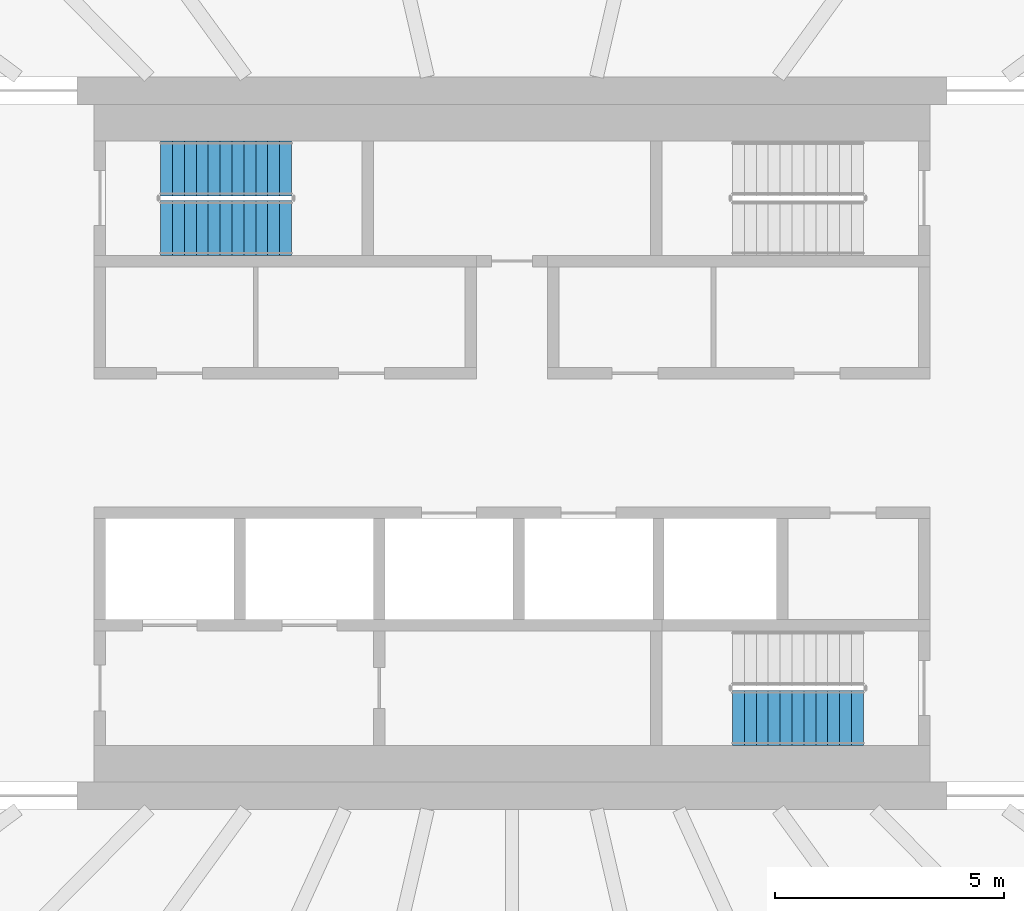
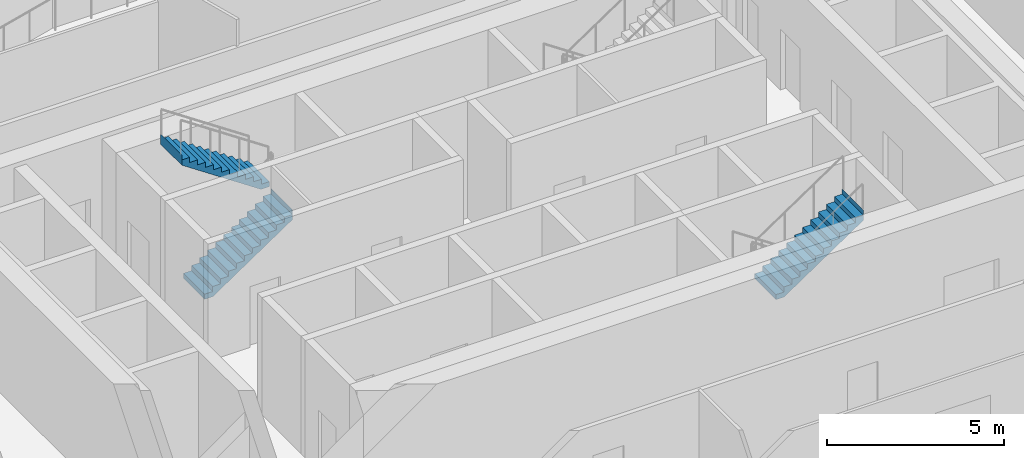
# One storey, part 17 of 25: 3 stair flights, 2 elements without a shape of their own.
"""IFC4 building model written with IfcOpenShell, lengths in metres."""

import ifcopenshell
import ifcopenshell.guid

model = None  # the IFC model being written
_history = None  # IfcOwnerHistory: only IFC2X3 demands one
_inside = {}  # id of a spatial element -> (the spatial element, [elements in it])
_under = {}  # id of a project, library or spatial element -> (it, [spatial elements below it])
_declared = {}  # id of a project -> (the project, [libraries it declares])
_typed = {}  # id of a type object -> (the type object, [elements of that type])
_made_of = {}  # id of a material, layer set ... -> (it, [elements and type objects made of it])


def new_model(schema):
    """Start an empty IFC model of exactly this schema.

    Asked for "IFC4X3", IfcOpenShell would pick the latest addendum, in which some entities
    have other attributes; the version numbers below select the first issue.
    IFC2X3 requires an IfcOwnerHistory on every rooted entity: one is made here for all.
    """
    global model, _history
    if schema == "IFC4X3":
        model = ifcopenshell.file(schema_version=(4, 3, 0, 0))
    else:
        model = ifcopenshell.file(schema=schema)
    _inside.clear()
    _under.clear()
    _declared.clear()
    _typed.clear()
    _made_of.clear()
    _history = None
    if model.schema == "IFC2X3":
        org = make("IfcOrganization", Name="unknown")
        user = make(
            "IfcPersonAndOrganization",
            ThePerson=make("IfcPerson", FamilyName="unknown"),
            TheOrganization=org,
        )
        app = make(
            "IfcApplication",
            ApplicationDeveloper=org,
            Version="unknown",
            ApplicationFullName="unknown",
            ApplicationIdentifier="unknown",
        )
        _history = make(
            "IfcOwnerHistory",
            OwningUser=user,
            OwningApplication=app,
            ChangeAction="ADDED",
            CreationDate=0,
        )
    return model


def make(cls, **values):
    """One entity of the class cls with the attributes given. An attribute that is None is left unset."""
    return model.create_entity(
        cls, **{name: value for name, value in values.items() if value is not None}
    )


def rooted(cls, **values):
    """An entity with a GlobalId (a new one), such as an element, a storey or a relation."""
    return make(cls, GlobalId=ifcopenshell.guid.new(), OwnerHistory=_history, **values)


def si_unit(unit_type, name, prefix=None):
    """IfcSIUnit, for example si_unit("LENGTHUNIT", "METRE", prefix="MILLI")."""
    return make("IfcSIUnit", UnitType=unit_type, Prefix=prefix, Name=name)


def assignment(units):
    """IfcUnitAssignment: the units of a project."""
    return None if units is None else make("IfcUnitAssignment", Units=units)


def point(xyz):
    """IfcCartesianPoint."""
    return None if xyz is None else make("IfcCartesianPoint", Coordinates=xyz)


def direction(xyz):
    """IfcDirection."""
    return None if xyz is None else make("IfcDirection", DirectionRatios=xyz)


def frame(location, z_axis=None, x_axis=None):
    """IfcAxis2Placement3D, a coordinate frame: its origin and axes. An axis left out is left unset."""
    return make(
        "IfcAxis2Placement3D",
        Location=point(location),
        Axis=direction(z_axis),
        RefDirection=direction(x_axis),
    )


def origin():
    """The frame at (0, 0, 0) with its axes left unset."""
    return frame((0.0, 0.0, 0.0))


def place(relative_to, where):
    """IfcLocalPlacement: puts the frame where relative to a parent placement (None: the world)."""
    return make(
        "IfcLocalPlacement", PlacementRelTo=relative_to, RelativePlacement=where
    )


def context(
    kind, dimensions, precision=None, world=None, true_north=None, identifier=None
):
    """IfcGeometricRepresentationContext, for example the 3D "Model" context."""
    return make(
        "IfcGeometricRepresentationContext",
        ContextIdentifier=identifier,
        ContextType=kind,
        CoordinateSpaceDimension=dimensions,
        Precision=precision,
        WorldCoordinateSystem=world,
        TrueNorth=true_north,
    )


def subcontext(parent, identifier, kind, view, scale=None):
    """IfcGeometricRepresentationSubContext, for example "Body" below "Model"."""
    return make(
        "IfcGeometricRepresentationSubContext",
        ContextIdentifier=identifier,
        ContextType=kind,
        ParentContext=parent,
        TargetScale=scale,
        TargetView=view,
    )


def project(units=None, contexts=None):
    """IfcProject with its units and contexts."""
    return rooted(
        "IfcProject",
        Name="project",
        RepresentationContexts=contexts,
        UnitsInContext=assignment(units),
    )


def spatial(cls, under=None, at=None, **own):
    """A site, building, storey or space (cls), placed at a placement, below another one or the project."""
    s = rooted(cls, ObjectPlacement=at, **own)
    if under is not None:
        _under.setdefault(under.id(), (under, []))[1].append(s)
    return s


def point_list(points):
    """IfcCartesianPointList2D or 3D."""
    cls = (
        "IfcCartesianPointList2D" if len(points[0]) == 2 else "IfcCartesianPointList3D"
    )
    return make(cls, CoordList=points)


def triangles(points, corners, closed=None, point_numbers=None):
    """IfcTriangulatedFaceSet: each triangle names its three corners, points numbered from 1."""
    return make(
        "IfcTriangulatedFaceSet",
        Coordinates=point_list(points),
        Closed=closed,
        CoordIndex=corners,
        PnIndex=point_numbers,
    )


def shape(context_of_items, identifier, shape_type, items):
    """IfcShapeRepresentation: the items that make up one representation, for example the "Body"."""
    return make(
        "IfcShapeRepresentation",
        ContextOfItems=context_of_items,
        RepresentationIdentifier=identifier,
        RepresentationType=shape_type,
        Items=items,
    )


def material(Name=None, Category=None):
    """IfcMaterial."""
    return make("IfcMaterial", Name=Name, Category=Category)


def made_of(thing, what):
    """Note that an element or type object is made of a material, layer set ...; save() writes the relation."""
    if what is not None:
        _made_of.setdefault(what.id(), (what, []))[1].append(thing)
    return thing


def type_object(cls, material=None, **own):
    """A type object (cls), such as IfcWallType, which elements share."""
    return made_of(rooted(cls, **own), material)


def element(
    cls,
    number,
    at=None,
    inside=None,
    cuts=None,
    type_object=None,
    material=None,
    context=None,
    identifier="Body",
    shape_type=None,
    held_by="IfcProductDefinitionShape",
    body=None,
    shapes=None,
    **own,
):
    """One element of the class cls, such as IfcWall. Its Tag is "e" and its number.

    at: its placement. inside: the storey or other place that contains it. cuts: it is an
    opening in that element (IfcRelVoidsElement). A single representation is given by context,
    identifier, shape_type and body (its items); several are given by shapes. held_by: the class
    of the entity that holds the representations. save() writes the other relations.
    """
    e = rooted(cls, Tag="e%d" % number, ObjectPlacement=at, **own)
    if body is not None:
        shapes = [shape(context, identifier, shape_type, body)]
    if shapes is not None:
        e.Representation = make(held_by, Representations=shapes)
    if inside is not None:
        _inside.setdefault(inside.id(), (inside, []))[1].append(e)
    if cuts is not None:
        rooted(
            "IfcRelVoidsElement", RelatingBuildingElement=cuts, RelatedOpeningElement=e
        )
    if type_object is not None:
        _typed.setdefault(type_object.id(), (type_object, []))[1].append(e)
    return made_of(e, material)


def aggregate(whole, parts):
    """IfcRelAggregates: a whole, such as a stair, and the parts it consists of."""
    return rooted("IfcRelAggregates", RelatingObject=whole, RelatedObjects=parts)


def save(model, path):
    """Write the relations noted so far, then the file.

    IfcRelAggregates (storeys below a building ...), IfcRelContainedInSpatialStructure (elements
    in a storey), IfcRelDefinesByType, IfcRelAssociatesMaterial and IfcRelDeclares: one each for
    every whole, place, type object, material and project.
    """
    for whole, parts in _under.values():
        aggregate(whole, parts)
    for where, things in _inside.values():
        rooted(
            "IfcRelContainedInSpatialStructure",
            RelatedElements=things,
            RelatingStructure=where,
        )
    for kind, things in _typed.values():
        rooted("IfcRelDefinesByType", RelatedObjects=things, RelatingType=kind)
    for what, things in _made_of.values():
        rooted("IfcRelAssociatesMaterial", RelatedObjects=things, RelatingMaterial=what)
    for by, libraries in _declared.values():
        rooted("IfcRelDeclares", RelatingContext=by, RelatedDefinitions=libraries)
    model.write(path)


model = new_model("IFC4")

# Units and contexts
model_context = context("Model", 3, precision=1e-05, world=origin(), true_north=direction((0.0, 1.0)))
body_context = subcontext(model_context, "Body", "Model", "MODEL_VIEW")
ifc_project = project(units=[si_unit("LENGTHUNIT", "METRE"), si_unit("AREAUNIT", "SQUARE_METRE"), si_unit("VOLUMEUNIT", "CUBIC_METRE"), si_unit("PLANEANGLEUNIT", "RADIAN"), si_unit("MASSUNIT", "GRAM", prefix="KILO")], contexts=[model_context])

# Site, building, storey
site_placement = place(None, origin())
site = spatial("IfcSite", under=ifc_project, at=site_placement, CompositionType="ELEMENT")
building_placement = place(site_placement, origin())
building = spatial("IfcBuilding", under=site, at=building_placement, Name="Sahrelin Media Tower", CompositionType="ELEMENT")
storey_placement = place(building_placement, frame((0.0, 0.0, 127.199951171875)))
storey = spatial("IfcBuildingStorey", under=building, at=storey_placement, Name="L25", CompositionType="ELEMENT", Elevation=127.199951171875)

# Stair, stair flights
ifc_material = material(Name="Concrete C40/50", Category="concrete")
stair_type = type_object("IfcStairType", Name="Exit stair 1200", PredefinedType="HALF_TURN_STAIR", material=ifc_material)
placement = place(storey_placement, origin())
stair_1 = element("IfcStair", 1, at=placement, inside=storey, type_object=stair_type, Name="L25 Exit stair ST1", PredefinedType="HALF_TURN_STAIR")
stair_flight_type = type_object("IfcStairFlightType", Name="Stair flight 1200", PredefinedType="STRAIGHT", material=ifc_material)
stair_flight_1_placement = place(storey_placement, frame((-7.675048828125, 4.699951171875, 0.0), z_axis=(0.0, 0.0, 1.0), x_axis=(1.0, 0.0, 0.0)))
stair_flight_1 = element("IfcStairFlight", 2, at=stair_flight_1_placement, type_object=stair_flight_type, Name="ST1 flight 1", NumberOfRisers=12, NumberOfTreads=11, PredefinedType="STRAIGHT", RiserHeight=0.175, TreadLength=0.26, context=body_context, shape_type="Tessellation", body=[
    triangles([(0.2685546875, 0.60009765625, 0.0), (0.2685546875, 0.300048828125, 0.0), (0.2685546875, 0.0, 0.0), (0.2685546875, -0.300048828125, 0.0), (0.2685546875, -0.60009765625, 0.0), (2.860107421875, 0.60009765625, 1.744384765625), (2.860107421875, 0.300048828125, 1.744384765625), (2.860107421875, 0.0, 1.744384765625), (2.860107421875, -0.300048828125, 1.744384765625), (2.860107421875, -0.60009765625, 1.744384765625), (2.860107421875, 0.60009765625, 2.10009765625), (2.860107421875, 0.300048828125, 2.10009765625), (2.860107421875, 0.0, 2.10009765625), (2.860107421875, -0.300048828125, 2.10009765625), (2.860107421875, -0.60009765625, 2.10009765625), (2.85791015625, 0.60009765625, 2.10009765625), (2.85791015625, 0.300048828125, 2.10009765625), (2.85791015625, 0.0, 2.10009765625), (2.85791015625, -0.300048828125, 2.10009765625), (2.85791015625, -0.60009765625, 2.10009765625), (2.85791015625, 0.60009765625, 1.925048828125), (2.85791015625, 0.300048828125, 1.925048828125), (2.85791015625, 0.0, 1.925048828125), (2.85791015625, -0.300048828125, 1.925048828125), (2.85791015625, -0.60009765625, 1.925048828125), (2.60009765625, 0.60009765625, 1.925048828125), (2.60009765625, 0.300048828125, 1.925048828125), (2.60009765625, 0.0, 1.925048828125), (2.60009765625, -0.300048828125, 1.925048828125), (2.60009765625, -0.60009765625, 1.925048828125), (2.60009765625, 0.60009765625, 1.75), (2.60009765625, 0.300048828125, 1.75), (2.60009765625, 0.0, 1.75), (2.60009765625, -0.300048828125, 1.75), (2.60009765625, -0.60009765625, 1.75), (2.340087890625, 0.60009765625, 1.75), (2.340087890625, 0.300048828125, 1.75), (2.340087890625, 0.0, 1.75), (2.340087890625, -0.300048828125, 1.75), (2.340087890625, -0.60009765625, 1.75), (2.340087890625, 0.60009765625, 1.574951171875), (2.340087890625, 0.300048828125, 1.574951171875), (2.340087890625, 0.0, 1.574951171875), (2.340087890625, -0.300048828125, 1.574951171875), (2.340087890625, -0.60009765625, 1.574951171875), (2.080078125, 0.60009765625, 1.574951171875), (2.080078125, 0.300048828125, 1.574951171875), (2.080078125, 0.0, 1.574951171875), (2.080078125, -0.300048828125, 1.574951171875), (2.080078125, -0.60009765625, 1.574951171875), (2.080078125, 0.60009765625, 1.39990234375), (2.080078125, 0.300048828125, 1.39990234375), (2.080078125, 0.0, 1.39990234375), (2.080078125, -0.300048828125, 1.39990234375), (2.080078125, -0.60009765625, 1.39990234375), (1.820068359375, 0.60009765625, 1.39990234375), (1.820068359375, 0.300048828125, 1.39990234375), (1.820068359375, 0.0, 1.39990234375), (1.820068359375, -0.300048828125, 1.39990234375), (1.820068359375, -0.60009765625, 1.39990234375), (1.820068359375, 0.60009765625, 1.22509765625), (1.820068359375, 0.300048828125, 1.22509765625), (1.820068359375, 0.0, 1.22509765625), (1.820068359375, -0.300048828125, 1.22509765625), (1.820068359375, -0.60009765625, 1.22509765625), (1.56005859375, 0.60009765625, 1.22509765625), (1.56005859375, 0.300048828125, 1.22509765625), (1.56005859375, 0.0, 1.22509765625), (1.56005859375, -0.300048828125, 1.22509765625), (1.56005859375, -0.60009765625, 1.22509765625), (1.56005859375, 0.60009765625, 1.050048828125), (1.56005859375, 0.300048828125, 1.050048828125), (1.56005859375, 0.0, 1.050048828125), (1.56005859375, -0.300048828125, 1.050048828125), (1.56005859375, -0.60009765625, 1.050048828125), (1.300048828125, 0.60009765625, 1.050048828125), (1.300048828125, 0.300048828125, 1.050048828125), (1.300048828125, 0.0, 1.050048828125), (1.300048828125, -0.300048828125, 1.050048828125), (1.300048828125, -0.60009765625, 1.050048828125), (1.300048828125, 0.60009765625, 0.875), (1.300048828125, 0.300048828125, 0.875), (1.300048828125, 0.0, 0.875), (1.300048828125, -0.300048828125, 0.875), (1.300048828125, -0.60009765625, 0.875), (1.0400390625, 0.60009765625, 0.875), (1.0400390625, 0.300048828125, 0.875), (1.0400390625, 0.0, 0.875), (1.0400390625, -0.300048828125, 0.875), (1.0400390625, -0.60009765625, 0.875), (1.0400390625, 0.60009765625, 0.699951171875), (1.0400390625, 0.300048828125, 0.699951171875), (1.0400390625, 0.0, 0.699951171875), (1.0400390625, -0.300048828125, 0.699951171875), (1.0400390625, -0.60009765625, 0.699951171875), (0.780029296875, 0.60009765625, 0.699951171875), (0.780029296875, 0.300048828125, 0.699951171875), (0.780029296875, 0.0, 0.699951171875), (0.780029296875, -0.300048828125, 0.699951171875), (0.780029296875, -0.60009765625, 0.699951171875), (0.780029296875, 0.60009765625, 0.52490234375), (0.780029296875, 0.300048828125, 0.52490234375), (0.780029296875, 0.0, 0.52490234375), (0.780029296875, -0.300048828125, 0.52490234375), (0.780029296875, -0.60009765625, 0.52490234375), (0.52001953125, 0.60009765625, 0.52490234375), (0.52001953125, 0.300048828125, 0.52490234375), (0.52001953125, 0.0, 0.52490234375), (0.52001953125, -0.300048828125, 0.52490234375), (0.52001953125, -0.60009765625, 0.52490234375), (0.52001953125, 0.60009765625, 0.35009765625), (0.52001953125, 0.300048828125, 0.35009765625), (0.52001953125, 0.0, 0.35009765625), (0.52001953125, -0.300048828125, 0.35009765625), (0.52001953125, -0.60009765625, 0.35009765625), (0.260009765625, 0.60009765625, 0.35009765625), (0.260009765625, 0.300048828125, 0.35009765625), (0.260009765625, 0.0, 0.35009765625), (0.260009765625, -0.300048828125, 0.35009765625), (0.260009765625, -0.60009765625, 0.35009765625), (0.260009765625, 0.60009765625, 0.175048828125), (0.260009765625, 0.300048828125, 0.175048828125), (0.260009765625, 0.0, 0.175048828125), (0.260009765625, -0.300048828125, 0.175048828125), (0.260009765625, -0.60009765625, 0.175048828125), (0.0, 0.60009765625, 0.175048828125), (0.0, 0.300048828125, 0.175048828125), (0.0, 0.0, 0.175048828125), (0.0, -0.300048828125, 0.175048828125), (0.0, -0.60009765625, 0.175048828125), (0.0, 0.60009765625, 0.0), (0.0, 0.300048828125, 0.0), (0.0, 0.0, 0.0), (0.0, -0.300048828125, 0.0), (0.0, -0.60009765625, 0.0)], [[1, 6, 7], [1, 7, 2], [2, 7, 8], [2, 8, 3], [3, 8, 9], [3, 9, 4], [4, 9, 10], [4, 10, 5], [6, 11, 12], [6, 12, 7], [7, 12, 13], [7, 13, 8], [8, 13, 14], [8, 14, 9], [9, 14, 15], [9, 15, 10], [11, 16, 17], [11, 17, 12], [12, 17, 18], [12, 18, 13], [13, 18, 19], [13, 19, 14], [14, 19, 20], [14, 20, 15], [16, 21, 22], [16, 22, 17], [17, 22, 23], [17, 23, 18], [18, 23, 24], [18, 24, 19], [19, 24, 25], [19, 25, 20], [21, 26, 27], [21, 27, 22], [22, 27, 28], [22, 28, 23], [23, 28, 29], [23, 29, 24], [24, 29, 30], [24, 30, 25], [26, 31, 32], [26, 32, 27], [27, 32, 33], [27, 33, 28], [28, 33, 34], [28, 34, 29], [29, 34, 35], [29, 35, 30], [31, 36, 37], [31, 37, 32], [32, 37, 38], [32, 38, 33], [33, 38, 39], [33, 39, 34], [34, 39, 40], [34, 40, 35], [36, 41, 42], [36, 42, 37], [37, 42, 43], [37, 43, 38], [38, 43, 44], [38, 44, 39], [39, 44, 45], [39, 45, 40], [41, 46, 47], [41, 47, 42], [42, 47, 48], [42, 48, 43], [43, 48, 49], [43, 49, 44], [44, 49, 50], [44, 50, 45], [46, 51, 52], [46, 52, 47], [47, 52, 53], [47, 53, 48], [48, 53, 54], [48, 54, 49], [49, 54, 55], [49, 55, 50], [51, 56, 57], [51, 57, 52], [52, 57, 58], [52, 58, 53], [53, 58, 59], [53, 59, 54], [54, 59, 60], [54, 60, 55], [56, 61, 62], [56, 62, 57], [57, 62, 63], [57, 63, 58], [58, 63, 64], [58, 64, 59], [59, 64, 65], [59, 65, 60], [61, 66, 67], [61, 67, 62], [62, 67, 68], [62, 68, 63], [63, 68, 69], [63, 69, 64], [64, 69, 70], [64, 70, 65], [66, 71, 72], [66, 72, 67], [67, 72, 73], [67, 73, 68], [68, 73, 74], [68, 74, 69], [69, 74, 75], [69, 75, 70], [71, 76, 77], [71, 77, 72], [72, 77, 78], [72, 78, 73], [73, 78, 79], [73, 79, 74], [74, 79, 80], [74, 80, 75], [76, 81, 82], [76, 82, 77], [77, 82, 83], [77, 83, 78], [78, 83, 84], [78, 84, 79], [79, 84, 85], [79, 85, 80], [81, 86, 87], [81, 87, 82], [82, 87, 88], [82, 88, 83], [83, 88, 89], [83, 89, 84], [84, 89, 90], [84, 90, 85], [86, 91, 92], [86, 92, 87], [87, 92, 93], [87, 93, 88], [88, 93, 94], [88, 94, 89], [89, 94, 95], [89, 95, 90], [91, 96, 97], [91, 97, 92], [92, 97, 98], [92, 98, 93], [93, 98, 99], [93, 99, 94], [94, 99, 100], [94, 100, 95], [96, 101, 102], [96, 102, 97], [97, 102, 103], [97, 103, 98], [98, 103, 104], [98, 104, 99], [99, 104, 105], [99, 105, 100], [101, 106, 107], [101, 107, 102], [102, 107, 108], [102, 108, 103], [103, 108, 109], [103, 109, 104], [104, 109, 110], [104, 110, 105], [106, 111, 112], [106, 112, 107], [107, 112, 113], [107, 113, 108], [108, 113, 114], [108, 114, 109], [109, 114, 115], [109, 115, 110], [111, 116, 117], [111, 117, 112], [112, 117, 118], [112, 118, 113], [113, 118, 119], [113, 119, 114], [114, 119, 120], [114, 120, 115], [116, 121, 122], [116, 122, 117], [117, 122, 123], [117, 123, 118], [118, 123, 124], [118, 124, 119], [119, 124, 125], [119, 125, 120], [121, 126, 127], [121, 127, 122], [122, 127, 128], [122, 128, 123], [123, 128, 129], [123, 129, 124], [124, 129, 130], [124, 130, 125], [126, 131, 132], [126, 132, 127], [127, 132, 133], [127, 133, 128], [128, 133, 134], [128, 134, 129], [129, 134, 135], [129, 135, 130], [131, 1, 2], [131, 2, 132], [132, 2, 3], [132, 3, 133], [133, 3, 4], [133, 4, 134], [134, 4, 5], [134, 5, 135], [125, 130, 135], [121, 131, 126], [125, 115, 120], [121, 116, 111], [115, 105, 110], [111, 106, 101], [105, 95, 100], [101, 96, 91], [95, 85, 90], [91, 86, 81], [85, 75, 80], [81, 76, 71], [75, 65, 70], [71, 66, 61], [65, 55, 60], [61, 56, 51], [55, 45, 50], [51, 46, 41], [45, 35, 40], [41, 36, 31], [35, 25, 30], [31, 26, 21], [25, 15, 20], [21, 16, 11], [135, 5, 125], [131, 121, 1], [95, 105, 5], [91, 1, 101], [5, 10, 75], [1, 71, 6], [10, 35, 45], [6, 41, 31], [25, 10, 15], [21, 11, 6], [115, 125, 5], [111, 1, 121], [75, 85, 5], [71, 1, 81], [35, 10, 25], [31, 21, 6], [105, 115, 5], [101, 1, 111], [45, 55, 10], [41, 6, 51], [85, 95, 5], [81, 1, 91], [65, 10, 55], [61, 51, 6], [10, 65, 75], [6, 71, 61]], closed=True),
])
stair_flight_2_placement = place(storey_placement, frame((-4.81494140625, 6.0, 2.10009765625), z_axis=(0.0, 0.0, 1.0), x_axis=(-1.0, 0.0, 0.0)))
stair_flight_2 = element("IfcStairFlight", 3, at=stair_flight_2_placement, type_object=stair_flight_type, Name="ST1 flight 2", NumberOfRisers=12, NumberOfTreads=11, PredefinedType="STRAIGHT", RiserHeight=0.175, TreadLength=0.26, context=body_context, shape_type="Tessellation", body=[
    triangles([(0.2685546875, 0.60009765625, 0.0), (0.2685546875, 0.300048828125, 0.0), (0.2685546875, 0.0, 0.0), (0.2685546875, -0.300048828125, 0.0), (0.2685546875, -0.60009765625, 0.0), (2.860107421875, 0.60009765625, 1.744384765625), (2.860107421875, 0.300048828125, 1.744384765625), (2.860107421875, 0.0, 1.744384765625), (2.860107421875, -0.300048828125, 1.744384765625), (2.860107421875, -0.60009765625, 1.744384765625), (2.860107421875, 0.60009765625, 2.10009765625), (2.860107421875, 0.300048828125, 2.10009765625), (2.860107421875, 0.0, 2.10009765625), (2.860107421875, -0.300048828125, 2.10009765625), (2.860107421875, -0.60009765625, 2.10009765625), (2.85791015625, 0.60009765625, 2.10009765625), (2.85791015625, 0.300048828125, 2.10009765625), (2.85791015625, 0.0, 2.10009765625), (2.85791015625, -0.300048828125, 2.10009765625), (2.85791015625, -0.60009765625, 2.10009765625), (2.85791015625, 0.60009765625, 1.925048828125), (2.85791015625, 0.300048828125, 1.925048828125), (2.85791015625, 0.0, 1.925048828125), (2.85791015625, -0.300048828125, 1.925048828125), (2.85791015625, -0.60009765625, 1.925048828125), (2.60009765625, 0.60009765625, 1.925048828125), (2.60009765625, 0.300048828125, 1.925048828125), (2.60009765625, 0.0, 1.925048828125), (2.60009765625, -0.300048828125, 1.925048828125), (2.60009765625, -0.60009765625, 1.925048828125), (2.60009765625, 0.60009765625, 1.75), (2.60009765625, 0.300048828125, 1.75), (2.60009765625, 0.0, 1.75), (2.60009765625, -0.300048828125, 1.75), (2.60009765625, -0.60009765625, 1.75), (2.340087890625, 0.60009765625, 1.75), (2.340087890625, 0.300048828125, 1.75), (2.340087890625, 0.0, 1.75), (2.340087890625, -0.300048828125, 1.75), (2.340087890625, -0.60009765625, 1.75), (2.340087890625, 0.60009765625, 1.574951171875), (2.340087890625, 0.300048828125, 1.574951171875), (2.340087890625, 0.0, 1.574951171875), (2.340087890625, -0.300048828125, 1.574951171875), (2.340087890625, -0.60009765625, 1.574951171875), (2.080078125, 0.60009765625, 1.574951171875), (2.080078125, 0.300048828125, 1.574951171875), (2.080078125, 0.0, 1.574951171875), (2.080078125, -0.300048828125, 1.574951171875), (2.080078125, -0.60009765625, 1.574951171875), (2.080078125, 0.60009765625, 1.39990234375), (2.080078125, 0.300048828125, 1.39990234375), (2.080078125, 0.0, 1.39990234375), (2.080078125, -0.300048828125, 1.39990234375), (2.080078125, -0.60009765625, 1.39990234375), (1.820068359375, 0.60009765625, 1.39990234375), (1.820068359375, 0.300048828125, 1.39990234375), (1.820068359375, 0.0, 1.39990234375), (1.820068359375, -0.300048828125, 1.39990234375), (1.820068359375, -0.60009765625, 1.39990234375), (1.820068359375, 0.60009765625, 1.22509765625), (1.820068359375, 0.300048828125, 1.22509765625), (1.820068359375, 0.0, 1.22509765625), (1.820068359375, -0.300048828125, 1.22509765625), (1.820068359375, -0.60009765625, 1.22509765625), (1.56005859375, 0.60009765625, 1.22509765625), (1.56005859375, 0.300048828125, 1.22509765625), (1.56005859375, 0.0, 1.22509765625), (1.56005859375, -0.300048828125, 1.22509765625), (1.56005859375, -0.60009765625, 1.22509765625), (1.56005859375, 0.60009765625, 1.050048828125), (1.56005859375, 0.300048828125, 1.050048828125), (1.56005859375, 0.0, 1.050048828125), (1.56005859375, -0.300048828125, 1.050048828125), (1.56005859375, -0.60009765625, 1.050048828125), (1.300048828125, 0.60009765625, 1.050048828125), (1.300048828125, 0.300048828125, 1.050048828125), (1.300048828125, 0.0, 1.050048828125), (1.300048828125, -0.300048828125, 1.050048828125), (1.300048828125, -0.60009765625, 1.050048828125), (1.300048828125, 0.60009765625, 0.875), (1.300048828125, 0.300048828125, 0.875), (1.300048828125, 0.0, 0.875), (1.300048828125, -0.300048828125, 0.875), (1.300048828125, -0.60009765625, 0.875), (1.0400390625, 0.60009765625, 0.875), (1.0400390625, 0.300048828125, 0.875), (1.0400390625, 0.0, 0.875), (1.0400390625, -0.300048828125, 0.875), (1.0400390625, -0.60009765625, 0.875), (1.0400390625, 0.60009765625, 0.699951171875), (1.0400390625, 0.300048828125, 0.699951171875), (1.0400390625, 0.0, 0.699951171875), (1.0400390625, -0.300048828125, 0.699951171875), (1.0400390625, -0.60009765625, 0.699951171875), (0.780029296875, 0.60009765625, 0.699951171875), (0.780029296875, 0.300048828125, 0.699951171875), (0.780029296875, 0.0, 0.699951171875), (0.780029296875, -0.300048828125, 0.699951171875), (0.780029296875, -0.60009765625, 0.699951171875), (0.780029296875, 0.60009765625, 0.52490234375), (0.780029296875, 0.300048828125, 0.52490234375), (0.780029296875, 0.0, 0.52490234375), (0.780029296875, -0.300048828125, 0.52490234375), (0.780029296875, -0.60009765625, 0.52490234375), (0.52001953125, 0.60009765625, 0.52490234375), (0.52001953125, 0.300048828125, 0.52490234375), (0.52001953125, 0.0, 0.52490234375), (0.52001953125, -0.300048828125, 0.52490234375), (0.52001953125, -0.60009765625, 0.52490234375), (0.52001953125, 0.60009765625, 0.35009765625), (0.52001953125, 0.300048828125, 0.35009765625), (0.52001953125, 0.0, 0.35009765625), (0.52001953125, -0.300048828125, 0.35009765625), (0.52001953125, -0.60009765625, 0.35009765625), (0.260009765625, 0.60009765625, 0.35009765625), (0.260009765625, 0.300048828125, 0.35009765625), (0.260009765625, 0.0, 0.35009765625), (0.260009765625, -0.300048828125, 0.35009765625), (0.260009765625, -0.60009765625, 0.35009765625), (0.260009765625, 0.60009765625, 0.175048828125), (0.260009765625, 0.300048828125, 0.175048828125), (0.260009765625, 0.0, 0.175048828125), (0.260009765625, -0.300048828125, 0.175048828125), (0.260009765625, -0.60009765625, 0.175048828125), (0.0, 0.60009765625, 0.175048828125), (0.0, 0.300048828125, 0.175048828125), (0.0, 0.0, 0.175048828125), (0.0, -0.300048828125, 0.175048828125), (0.0, -0.60009765625, 0.175048828125), (0.0, 0.60009765625, 0.0), (0.0, 0.300048828125, 0.0), (0.0, 0.0, 0.0), (0.0, -0.300048828125, 0.0), (0.0, -0.60009765625, 0.0)], [[1, 6, 7], [1, 7, 2], [2, 7, 8], [2, 8, 3], [3, 8, 9], [3, 9, 4], [4, 9, 10], [4, 10, 5], [6, 11, 12], [6, 12, 7], [7, 12, 13], [7, 13, 8], [8, 13, 14], [8, 14, 9], [9, 14, 15], [9, 15, 10], [11, 16, 17], [11, 17, 12], [12, 17, 18], [12, 18, 13], [13, 18, 19], [13, 19, 14], [14, 19, 20], [14, 20, 15], [16, 21, 22], [16, 22, 17], [17, 22, 23], [17, 23, 18], [18, 23, 24], [18, 24, 19], [19, 24, 25], [19, 25, 20], [21, 26, 27], [21, 27, 22], [22, 27, 28], [22, 28, 23], [23, 28, 29], [23, 29, 24], [24, 29, 30], [24, 30, 25], [26, 31, 32], [26, 32, 27], [27, 32, 33], [27, 33, 28], [28, 33, 34], [28, 34, 29], [29, 34, 35], [29, 35, 30], [31, 36, 37], [31, 37, 32], [32, 37, 38], [32, 38, 33], [33, 38, 39], [33, 39, 34], [34, 39, 40], [34, 40, 35], [36, 41, 42], [36, 42, 37], [37, 42, 43], [37, 43, 38], [38, 43, 44], [38, 44, 39], [39, 44, 45], [39, 45, 40], [41, 46, 47], [41, 47, 42], [42, 47, 48], [42, 48, 43], [43, 48, 49], [43, 49, 44], [44, 49, 50], [44, 50, 45], [46, 51, 52], [46, 52, 47], [47, 52, 53], [47, 53, 48], [48, 53, 54], [48, 54, 49], [49, 54, 55], [49, 55, 50], [51, 56, 57], [51, 57, 52], [52, 57, 58], [52, 58, 53], [53, 58, 59], [53, 59, 54], [54, 59, 60], [54, 60, 55], [56, 61, 62], [56, 62, 57], [57, 62, 63], [57, 63, 58], [58, 63, 64], [58, 64, 59], [59, 64, 65], [59, 65, 60], [61, 66, 67], [61, 67, 62], [62, 67, 68], [62, 68, 63], [63, 68, 69], [63, 69, 64], [64, 69, 70], [64, 70, 65], [66, 71, 72], [66, 72, 67], [67, 72, 73], [67, 73, 68], [68, 73, 74], [68, 74, 69], [69, 74, 75], [69, 75, 70], [71, 76, 77], [71, 77, 72], [72, 77, 78], [72, 78, 73], [73, 78, 79], [73, 79, 74], [74, 79, 80], [74, 80, 75], [76, 81, 82], [76, 82, 77], [77, 82, 83], [77, 83, 78], [78, 83, 84], [78, 84, 79], [79, 84, 85], [79, 85, 80], [81, 86, 87], [81, 87, 82], [82, 87, 88], [82, 88, 83], [83, 88, 89], [83, 89, 84], [84, 89, 90], [84, 90, 85], [86, 91, 92], [86, 92, 87], [87, 92, 93], [87, 93, 88], [88, 93, 94], [88, 94, 89], [89, 94, 95], [89, 95, 90], [91, 96, 97], [91, 97, 92], [92, 97, 98], [92, 98, 93], [93, 98, 99], [93, 99, 94], [94, 99, 100], [94, 100, 95], [96, 101, 102], [96, 102, 97], [97, 102, 103], [97, 103, 98], [98, 103, 104], [98, 104, 99], [99, 104, 105], [99, 105, 100], [101, 106, 107], [101, 107, 102], [102, 107, 108], [102, 108, 103], [103, 108, 109], [103, 109, 104], [104, 109, 110], [104, 110, 105], [106, 111, 112], [106, 112, 107], [107, 112, 113], [107, 113, 108], [108, 113, 114], [108, 114, 109], [109, 114, 115], [109, 115, 110], [111, 116, 117], [111, 117, 112], [112, 117, 118], [112, 118, 113], [113, 118, 119], [113, 119, 114], [114, 119, 120], [114, 120, 115], [116, 121, 122], [116, 122, 117], [117, 122, 123], [117, 123, 118], [118, 123, 124], [118, 124, 119], [119, 124, 125], [119, 125, 120], [121, 126, 127], [121, 127, 122], [122, 127, 128], [122, 128, 123], [123, 128, 129], [123, 129, 124], [124, 129, 130], [124, 130, 125], [126, 131, 132], [126, 132, 127], [127, 132, 133], [127, 133, 128], [128, 133, 134], [128, 134, 129], [129, 134, 135], [129, 135, 130], [131, 1, 2], [131, 2, 132], [132, 2, 3], [132, 3, 133], [133, 3, 4], [133, 4, 134], [134, 4, 5], [134, 5, 135], [125, 130, 135], [121, 131, 126], [125, 115, 120], [121, 116, 111], [115, 105, 110], [111, 106, 101], [105, 95, 100], [101, 96, 91], [95, 85, 90], [91, 86, 81], [85, 75, 80], [81, 76, 71], [75, 65, 70], [71, 66, 61], [65, 55, 60], [61, 56, 51], [55, 45, 50], [51, 46, 41], [45, 35, 40], [41, 36, 31], [35, 25, 30], [31, 26, 21], [25, 15, 20], [21, 16, 11], [135, 5, 125], [131, 121, 1], [95, 105, 5], [91, 1, 101], [5, 10, 75], [1, 71, 6], [10, 35, 45], [6, 41, 31], [25, 10, 15], [21, 11, 6], [115, 125, 5], [111, 1, 121], [75, 85, 5], [71, 1, 81], [35, 10, 25], [31, 21, 6], [105, 115, 5], [101, 1, 111], [45, 55, 10], [41, 6, 51], [85, 95, 5], [81, 1, 91], [65, 10, 55], [61, 51, 6], [10, 65, 75], [6, 71, 61]], closed=True),
])
aggregate(stair_1, [stair_flight_1, stair_flight_2])

# Stair, stair flight
stair_2 = element("IfcStair", 4, at=placement, inside=storey, type_object=stair_type, Name="L25 Exit stair ST2", PredefinedType="HALF_TURN_STAIR")
stair_flight_3_placement = place(storey_placement, frame((4.81494140625, -6.0, 2.10009765625), z_axis=(0.0, 0.0, 1.0), x_axis=(1.0, 0.0, 0.0)))
stair_flight_3 = element("IfcStairFlight", 5, at=stair_flight_3_placement, type_object=stair_flight_type, Name="ST2 flight 2", NumberOfRisers=12, NumberOfTreads=11, PredefinedType="STRAIGHT", RiserHeight=0.175, TreadLength=0.26, context=body_context, shape_type="Tessellation", body=[
    triangles([(0.2685546875, 0.60009765625, 0.0), (0.2685546875, 0.300048828125, 0.0), (0.2685546875, 0.0, 0.0), (0.2685546875, -0.300048828125, 0.0), (0.2685546875, -0.60009765625, 0.0), (2.860107421875, 0.60009765625, 1.744384765625), (2.860107421875, 0.300048828125, 1.744384765625), (2.860107421875, 0.0, 1.744384765625), (2.860107421875, -0.300048828125, 1.744384765625), (2.860107421875, -0.60009765625, 1.744384765625), (2.860107421875, 0.60009765625, 2.10009765625), (2.860107421875, 0.300048828125, 2.10009765625), (2.860107421875, 0.0, 2.10009765625), (2.860107421875, -0.300048828125, 2.10009765625), (2.860107421875, -0.60009765625, 2.10009765625), (2.85791015625, 0.60009765625, 2.10009765625), (2.85791015625, 0.300048828125, 2.10009765625), (2.85791015625, 0.0, 2.10009765625), (2.85791015625, -0.300048828125, 2.10009765625), (2.85791015625, -0.60009765625, 2.10009765625), (2.85791015625, 0.60009765625, 1.925048828125), (2.85791015625, 0.300048828125, 1.925048828125), (2.85791015625, 0.0, 1.925048828125), (2.85791015625, -0.300048828125, 1.925048828125), (2.85791015625, -0.60009765625, 1.925048828125), (2.60009765625, 0.60009765625, 1.925048828125), (2.60009765625, 0.300048828125, 1.925048828125), (2.60009765625, 0.0, 1.925048828125), (2.60009765625, -0.300048828125, 1.925048828125), (2.60009765625, -0.60009765625, 1.925048828125), (2.60009765625, 0.60009765625, 1.75), (2.60009765625, 0.300048828125, 1.75), (2.60009765625, 0.0, 1.75), (2.60009765625, -0.300048828125, 1.75), (2.60009765625, -0.60009765625, 1.75), (2.340087890625, 0.60009765625, 1.75), (2.340087890625, 0.300048828125, 1.75), (2.340087890625, 0.0, 1.75), (2.340087890625, -0.300048828125, 1.75), (2.340087890625, -0.60009765625, 1.75), (2.340087890625, 0.60009765625, 1.574951171875), (2.340087890625, 0.300048828125, 1.574951171875), (2.340087890625, 0.0, 1.574951171875), (2.340087890625, -0.300048828125, 1.574951171875), (2.340087890625, -0.60009765625, 1.574951171875), (2.080078125, 0.60009765625, 1.574951171875), (2.080078125, 0.300048828125, 1.574951171875), (2.080078125, 0.0, 1.574951171875), (2.080078125, -0.300048828125, 1.574951171875), (2.080078125, -0.60009765625, 1.574951171875), (2.080078125, 0.60009765625, 1.39990234375), (2.080078125, 0.300048828125, 1.39990234375), (2.080078125, 0.0, 1.39990234375), (2.080078125, -0.300048828125, 1.39990234375), (2.080078125, -0.60009765625, 1.39990234375), (1.820068359375, 0.60009765625, 1.39990234375), (1.820068359375, 0.300048828125, 1.39990234375), (1.820068359375, 0.0, 1.39990234375), (1.820068359375, -0.300048828125, 1.39990234375), (1.820068359375, -0.60009765625, 1.39990234375), (1.820068359375, 0.60009765625, 1.22509765625), (1.820068359375, 0.300048828125, 1.22509765625), (1.820068359375, 0.0, 1.22509765625), (1.820068359375, -0.300048828125, 1.22509765625), (1.820068359375, -0.60009765625, 1.22509765625), (1.56005859375, 0.60009765625, 1.22509765625), (1.56005859375, 0.300048828125, 1.22509765625), (1.56005859375, 0.0, 1.22509765625), (1.56005859375, -0.300048828125, 1.22509765625), (1.56005859375, -0.60009765625, 1.22509765625), (1.56005859375, 0.60009765625, 1.050048828125), (1.56005859375, 0.300048828125, 1.050048828125), (1.56005859375, 0.0, 1.050048828125), (1.56005859375, -0.300048828125, 1.050048828125), (1.56005859375, -0.60009765625, 1.050048828125), (1.300048828125, 0.60009765625, 1.050048828125), (1.300048828125, 0.300048828125, 1.050048828125), (1.300048828125, 0.0, 1.050048828125), (1.300048828125, -0.300048828125, 1.050048828125), (1.300048828125, -0.60009765625, 1.050048828125), (1.300048828125, 0.60009765625, 0.875), (1.300048828125, 0.300048828125, 0.875), (1.300048828125, 0.0, 0.875), (1.300048828125, -0.300048828125, 0.875), (1.300048828125, -0.60009765625, 0.875), (1.0400390625, 0.60009765625, 0.875), (1.0400390625, 0.300048828125, 0.875), (1.0400390625, 0.0, 0.875), (1.0400390625, -0.300048828125, 0.875), (1.0400390625, -0.60009765625, 0.875), (1.0400390625, 0.60009765625, 0.699951171875), (1.0400390625, 0.300048828125, 0.699951171875), (1.0400390625, 0.0, 0.699951171875), (1.0400390625, -0.300048828125, 0.699951171875), (1.0400390625, -0.60009765625, 0.699951171875), (0.780029296875, 0.60009765625, 0.699951171875), (0.780029296875, 0.300048828125, 0.699951171875), (0.780029296875, 0.0, 0.699951171875), (0.780029296875, -0.300048828125, 0.699951171875), (0.780029296875, -0.60009765625, 0.699951171875), (0.780029296875, 0.60009765625, 0.52490234375), (0.780029296875, 0.300048828125, 0.52490234375), (0.780029296875, 0.0, 0.52490234375), (0.780029296875, -0.300048828125, 0.52490234375), (0.780029296875, -0.60009765625, 0.52490234375), (0.52001953125, 0.60009765625, 0.52490234375), (0.52001953125, 0.300048828125, 0.52490234375), (0.52001953125, 0.0, 0.52490234375), (0.52001953125, -0.300048828125, 0.52490234375), (0.52001953125, -0.60009765625, 0.52490234375), (0.52001953125, 0.60009765625, 0.35009765625), (0.52001953125, 0.300048828125, 0.35009765625), (0.52001953125, 0.0, 0.35009765625), (0.52001953125, -0.300048828125, 0.35009765625), (0.52001953125, -0.60009765625, 0.35009765625), (0.260009765625, 0.60009765625, 0.35009765625), (0.260009765625, 0.300048828125, 0.35009765625), (0.260009765625, 0.0, 0.35009765625), (0.260009765625, -0.300048828125, 0.35009765625), (0.260009765625, -0.60009765625, 0.35009765625), (0.260009765625, 0.60009765625, 0.175048828125), (0.260009765625, 0.300048828125, 0.175048828125), (0.260009765625, 0.0, 0.175048828125), (0.260009765625, -0.300048828125, 0.175048828125), (0.260009765625, -0.60009765625, 0.175048828125), (0.0, 0.60009765625, 0.175048828125), (0.0, 0.300048828125, 0.175048828125), (0.0, 0.0, 0.175048828125), (0.0, -0.300048828125, 0.175048828125), (0.0, -0.60009765625, 0.175048828125), (0.0, 0.60009765625, 0.0), (0.0, 0.300048828125, 0.0), (0.0, 0.0, 0.0), (0.0, -0.300048828125, 0.0), (0.0, -0.60009765625, 0.0)], [[1, 6, 7], [1, 7, 2], [2, 7, 8], [2, 8, 3], [3, 8, 9], [3, 9, 4], [4, 9, 10], [4, 10, 5], [6, 11, 12], [6, 12, 7], [7, 12, 13], [7, 13, 8], [8, 13, 14], [8, 14, 9], [9, 14, 15], [9, 15, 10], [11, 16, 17], [11, 17, 12], [12, 17, 18], [12, 18, 13], [13, 18, 19], [13, 19, 14], [14, 19, 20], [14, 20, 15], [16, 21, 22], [16, 22, 17], [17, 22, 23], [17, 23, 18], [18, 23, 24], [18, 24, 19], [19, 24, 25], [19, 25, 20], [21, 26, 27], [21, 27, 22], [22, 27, 28], [22, 28, 23], [23, 28, 29], [23, 29, 24], [24, 29, 30], [24, 30, 25], [26, 31, 32], [26, 32, 27], [27, 32, 33], [27, 33, 28], [28, 33, 34], [28, 34, 29], [29, 34, 35], [29, 35, 30], [31, 36, 37], [31, 37, 32], [32, 37, 38], [32, 38, 33], [33, 38, 39], [33, 39, 34], [34, 39, 40], [34, 40, 35], [36, 41, 42], [36, 42, 37], [37, 42, 43], [37, 43, 38], [38, 43, 44], [38, 44, 39], [39, 44, 45], [39, 45, 40], [41, 46, 47], [41, 47, 42], [42, 47, 48], [42, 48, 43], [43, 48, 49], [43, 49, 44], [44, 49, 50], [44, 50, 45], [46, 51, 52], [46, 52, 47], [47, 52, 53], [47, 53, 48], [48, 53, 54], [48, 54, 49], [49, 54, 55], [49, 55, 50], [51, 56, 57], [51, 57, 52], [52, 57, 58], [52, 58, 53], [53, 58, 59], [53, 59, 54], [54, 59, 60], [54, 60, 55], [56, 61, 62], [56, 62, 57], [57, 62, 63], [57, 63, 58], [58, 63, 64], [58, 64, 59], [59, 64, 65], [59, 65, 60], [61, 66, 67], [61, 67, 62], [62, 67, 68], [62, 68, 63], [63, 68, 69], [63, 69, 64], [64, 69, 70], [64, 70, 65], [66, 71, 72], [66, 72, 67], [67, 72, 73], [67, 73, 68], [68, 73, 74], [68, 74, 69], [69, 74, 75], [69, 75, 70], [71, 76, 77], [71, 77, 72], [72, 77, 78], [72, 78, 73], [73, 78, 79], [73, 79, 74], [74, 79, 80], [74, 80, 75], [76, 81, 82], [76, 82, 77], [77, 82, 83], [77, 83, 78], [78, 83, 84], [78, 84, 79], [79, 84, 85], [79, 85, 80], [81, 86, 87], [81, 87, 82], [82, 87, 88], [82, 88, 83], [83, 88, 89], [83, 89, 84], [84, 89, 90], [84, 90, 85], [86, 91, 92], [86, 92, 87], [87, 92, 93], [87, 93, 88], [88, 93, 94], [88, 94, 89], [89, 94, 95], [89, 95, 90], [91, 96, 97], [91, 97, 92], [92, 97, 98], [92, 98, 93], [93, 98, 99], [93, 99, 94], [94, 99, 100], [94, 100, 95], [96, 101, 102], [96, 102, 97], [97, 102, 103], [97, 103, 98], [98, 103, 104], [98, 104, 99], [99, 104, 105], [99, 105, 100], [101, 106, 107], [101, 107, 102], [102, 107, 108], [102, 108, 103], [103, 108, 109], [103, 109, 104], [104, 109, 110], [104, 110, 105], [106, 111, 112], [106, 112, 107], [107, 112, 113], [107, 113, 108], [108, 113, 114], [108, 114, 109], [109, 114, 115], [109, 115, 110], [111, 116, 117], [111, 117, 112], [112, 117, 118], [112, 118, 113], [113, 118, 119], [113, 119, 114], [114, 119, 120], [114, 120, 115], [116, 121, 122], [116, 122, 117], [117, 122, 123], [117, 123, 118], [118, 123, 124], [118, 124, 119], [119, 124, 125], [119, 125, 120], [121, 126, 127], [121, 127, 122], [122, 127, 128], [122, 128, 123], [123, 128, 129], [123, 129, 124], [124, 129, 130], [124, 130, 125], [126, 131, 132], [126, 132, 127], [127, 132, 133], [127, 133, 128], [128, 133, 134], [128, 134, 129], [129, 134, 135], [129, 135, 130], [131, 1, 2], [131, 2, 132], [132, 2, 3], [132, 3, 133], [133, 3, 4], [133, 4, 134], [134, 4, 5], [134, 5, 135], [125, 130, 135], [121, 131, 126], [125, 115, 120], [121, 116, 111], [115, 105, 110], [111, 106, 101], [105, 95, 100], [101, 96, 91], [95, 85, 90], [91, 86, 81], [85, 75, 80], [81, 76, 71], [75, 65, 70], [71, 66, 61], [65, 55, 60], [61, 56, 51], [55, 45, 50], [51, 46, 41], [45, 35, 40], [41, 36, 31], [35, 25, 30], [31, 26, 21], [25, 15, 20], [21, 16, 11], [135, 5, 125], [131, 121, 1], [95, 105, 5], [91, 1, 101], [5, 10, 75], [1, 71, 6], [10, 35, 45], [6, 41, 31], [25, 10, 15], [21, 11, 6], [115, 125, 5], [111, 1, 121], [75, 85, 5], [71, 1, 81], [35, 10, 25], [31, 21, 6], [105, 115, 5], [101, 1, 111], [45, 55, 10], [41, 6, 51], [85, 95, 5], [81, 1, 91], [65, 10, 55], [61, 51, 6], [10, 65, 75], [6, 71, 61]], closed=True),
])
aggregate(stair_2, [stair_flight_3])

save(model, "model.ifc")
